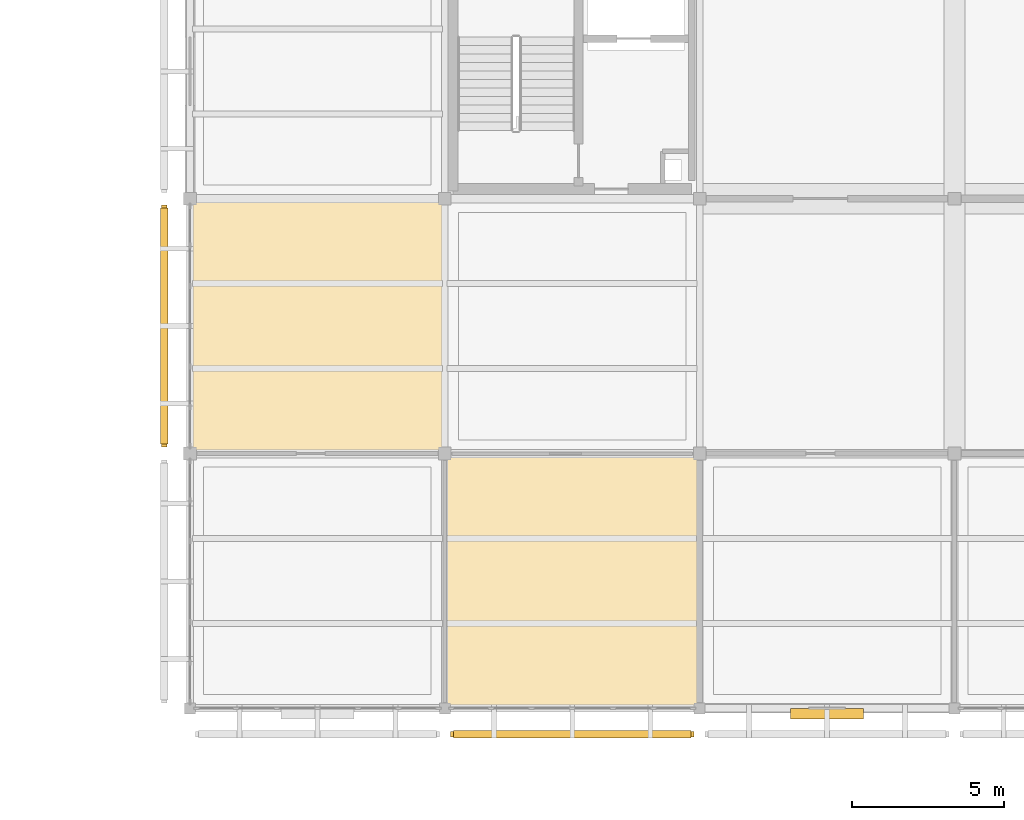
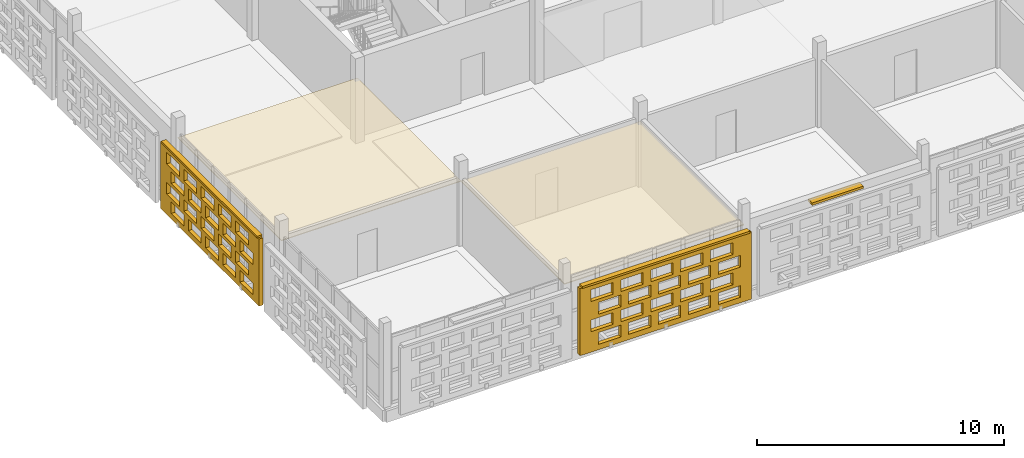
# One storey, part 113 of 166: 4 coverings, 3 shading devices, 40 openings.
"""IFC4 building model written with IfcOpenShell, lengths in metres."""

from ifc_helpers import new_model, si_unit, direction, frame, frame_2d, origin, origin_2d, place, context, subcontext, project, spatial, rectangle, extrude, material, layer, layer_set, type_object, element, save


model = new_model("IFC4")

# Units and contexts
model_context = context("Model", 3, precision=1e-05, world=origin(), true_north=direction((0.0, 1.0)))
body_context = subcontext(model_context, "Body", "Model", "MODEL_VIEW")
ifc_project = project(units=[si_unit("LENGTHUNIT", "METRE"), si_unit("AREAUNIT", "SQUARE_METRE"), si_unit("VOLUMEUNIT", "CUBIC_METRE"), si_unit("PLANEANGLEUNIT", "RADIAN"), si_unit("MASSUNIT", "GRAM", prefix="KILO")], contexts=[model_context])

# Site, building, storey
site_placement = place(None, origin())
site = spatial("IfcSite", under=ifc_project, at=site_placement, CompositionType="ELEMENT")
building_placement = place(site_placement, origin())
building = spatial("IfcBuilding", under=site, at=building_placement, Name="Varnapada Polytechnic", CompositionType="ELEMENT")
storey_placement = place(building_placement, frame((0.0, 0.0, 9.60009765625)))
storey = spatial("IfcBuildingStorey", under=building, at=storey_placement, Name="L02", CompositionType="ELEMENT", Elevation=9.60009765625)

# Shading device
ifc_material_1 = material(Name="Anodised aluminium", Category="aluminium")
ifc_layer_1 = layer(ifc_material_1, 0.35009765625)
ifc_layer_set_1 = layer_set([ifc_layer_1], Name="Anodised aluminium")
shading_device_type_1 = type_object("IfcShadingDeviceType", Name="Solar Louvre LVR-01", PredefinedType="JALOUSIE", material=ifc_layer_set_1)
shading_device_1_placement = place(storey_placement, frame((29.39990234375, -0.179931640625, 3.159912109375), z_axis=(0.0, 0.0, 1.0), x_axis=(-1.0, 0.0, 0.0)))
element("IfcShadingDevice", 1, at=shading_device_1_placement, inside=storey, type_object=shading_device_type_1, Name="L02 aluminium sun louvre 22", PredefinedType="JALOUSIE", context=body_context, shape_type="SweptSolid", body=[
    extrude(rectangle(XDim=2.39990234375, YDim=0.340087890625, at=origin_2d()), origin(), (0.0, 0.0, 1.0), 0.1201171875),
])

# Coverings
ifc_material_2 = material(Name="Micro-Perforated Gypsum Acoustic Ceiling")
ifc_layer_2 = layer(ifc_material_2, 0.044921875)
ifc_layer_set_2 = layer_set([ifc_layer_2], Name="Micro-Perforated Gypsum Acoustic Ceiling")
covering_type_1 = type_object("IfcCoveringType", Name="Suspended Ceiling CLG-04", PredefinedType="CEILING", material=ifc_layer_set_2)
covering_1_placement = place(storey_placement, frame((21.0, 4.199951171875, 3.02734375), z_axis=(0.0, 0.0, 1.0), x_axis=(1.0, 0.0, 0.0)))
element("IfcCovering", 2, at=covering_1_placement, inside=storey, type_object=covering_type_1, Name="L02 suspended acoustic ceiling (3,1)", PredefinedType="CEILING", context=body_context, shape_type="SweptSolid", body=[
    extrude(rectangle(XDim=8.419921875, YDim=8.419921875, at=origin_2d()), origin(), (0.0, 0.0, 1.0), 0.044921875),
])
ifc_material_3 = material(Name="Cleanroom Laboratory Metal Pan Ceiling")
ifc_layer_3 = layer(ifc_material_3, 0.034912109375)
ifc_layer_set_3 = layer_set([ifc_layer_3], Name="Cleanroom Laboratory Metal Pan Ceiling")
covering_type_2 = type_object("IfcCoveringType", Name="Suspended Ceiling CLG-06", PredefinedType="CEILING", material=ifc_layer_set_3)
covering_2_placement = place(storey_placement, frame((12.60009765625, 12.60009765625, 3.0322265625), z_axis=(0.0, 0.0, 1.0), x_axis=(1.0, 0.0, 0.0)))
element("IfcCovering", 3, at=covering_2_placement, inside=storey, type_object=covering_type_2, Name="L02 suspended acoustic ceiling (2,2)", PredefinedType="CEILING", context=body_context, shape_type="SweptSolid", body=[
    extrude(rectangle(XDim=8.419921875, YDim=8.419921875, at=origin_2d()), origin(), (0.0, 0.0, 1.0), 0.034912109375),
])

# Covering, openings
ifc_material_4 = material(Name="Earth-toned architectural terracotta screen block", Category="masonry")
ifc_layer_4 = layer(ifc_material_4, 0.1201171875)
ifc_layer_set_4 = layer_set([ifc_layer_4], Name="Earth-toned architectural terracotta screen block")
covering_type_3 = type_object("IfcCoveringType", Name="Terracotta Screen Cladding CLD-01", PredefinedType="CLADDING", material=ifc_layer_set_4)
covering_3_placement = place(storey_placement, frame((7.550048828125, 8.610107421875, 0.0), z_axis=(0.0, 0.0, 1.0), x_axis=(0.0, 1.0, 0.0)))
covering_3 = element("IfcCovering", 4, at=covering_3_placement, inside=storey, type_object=covering_type_3, Name="L02 perforated terracotta block screen (15)", PredefinedType="CLADDING", context=body_context, shape_type="SweptSolid", body=[
    extrude(rectangle(XDim=7.97998046875, YDim=0.179931640625, at=frame_2d((3.989990234375, 0.0))), origin(), (0.0, 0.0, 1.0), 3.31982421875),
])
opening_1_placement = place(covering_3_placement, frame((0.489990234375, 0.0, 0.265625)))
element("IfcOpeningElement", 5, at=opening_1_placement, cuts=covering_3, Name="Screen perforation TBS-L02-014.1", PredefinedType="OPENING", context=body_context, shape_type="SweptSolid", body=[
    extrude(rectangle(XDim=1.0400390625, YDim=0.5810546875, at=frame_2d((0.52001953125, 0.29052734375))), frame((0.0, 0.099853515625, 0.0), z_axis=(0.0, -1.0, 0.0), x_axis=(1.0, 0.0, 0.0)), (0.0, 0.0, 1.0), 0.199951171875),
])
opening_2_placement = place(covering_3_placement, frame((1.889892578125, 0.0, 0.265625)))
element("IfcOpeningElement", 6, at=opening_2_placement, cuts=covering_3, Name="Screen perforation TBS-L02-014.2", PredefinedType="OPENING", context=body_context, shape_type="SweptSolid", body=[
    extrude(rectangle(XDim=1.0400390625, YDim=0.5810546875, at=frame_2d((0.52001953125, 0.29052734375))), frame((0.0, 0.099853515625, 0.0), z_axis=(0.0, -1.0, 0.0), x_axis=(1.0, 0.0, 0.0)), (0.0, 0.0, 1.0), 0.199951171875),
])
opening_3_placement = place(covering_3_placement, frame((3.2900390625, 0.0, 0.265625)))
element("IfcOpeningElement", 7, at=opening_3_placement, cuts=covering_3, Name="Screen perforation TBS-L02-014.3", PredefinedType="OPENING", context=body_context, shape_type="SweptSolid", body=[
    extrude(rectangle(XDim=1.0400390625, YDim=0.5810546875, at=frame_2d((0.52001953125, 0.29052734375))), frame((0.0, 0.099853515625, 0.0), z_axis=(0.0, -1.0, 0.0), x_axis=(1.0, 0.0, 0.0)), (0.0, 0.0, 1.0), 0.199951171875),
])
opening_4_placement = place(covering_3_placement, frame((4.68994140625, 0.0, 0.265625)))
element("IfcOpeningElement", 8, at=opening_4_placement, cuts=covering_3, Name="Screen perforation TBS-L02-014.4", PredefinedType="OPENING", context=body_context, shape_type="SweptSolid", body=[
    extrude(rectangle(XDim=1.0400390625, YDim=0.5810546875, at=frame_2d((0.52001953125, 0.29052734375))), frame((0.0, 0.099853515625, 0.0), z_axis=(0.0, -1.0, 0.0), x_axis=(1.0, 0.0, 0.0)), (0.0, 0.0, 1.0), 0.199951171875),
])
opening_5_placement = place(covering_3_placement, frame((6.090087890625, 0.0, 0.265625)))
element("IfcOpeningElement", 9, at=opening_5_placement, cuts=covering_3, Name="Screen perforation TBS-L02-014.5", PredefinedType="OPENING", context=body_context, shape_type="SweptSolid", body=[
    extrude(rectangle(XDim=1.0400390625, YDim=0.5810546875, at=frame_2d((0.52001953125, 0.29052734375))), frame((0.0, 0.099853515625, 0.0), z_axis=(0.0, -1.0, 0.0), x_axis=(1.0, 0.0, 0.0)), (0.0, 0.0, 1.0), 0.199951171875),
])
opening_6_placement = place(covering_3_placement, frame((0.85009765625, 0.0, 1.0126953125)))
element("IfcOpeningElement", 10, at=opening_6_placement, cuts=covering_3, Name="Screen perforation TBS-L02-014.6", PredefinedType="OPENING", context=body_context, shape_type="SweptSolid", body=[
    extrude(rectangle(XDim=1.0400390625, YDim=0.5810546875, at=frame_2d((0.52001953125, 0.29052734375))), frame((0.0, 0.099853515625, 0.0), z_axis=(0.0, -1.0, 0.0), x_axis=(1.0, 0.0, 0.0)), (0.0, 0.0, 1.0), 0.199951171875),
])
opening_7_placement = place(covering_3_placement, frame((2.25, 0.0, 1.0126953125)))
element("IfcOpeningElement", 11, at=opening_7_placement, cuts=covering_3, Name="Screen perforation TBS-L02-014.7", PredefinedType="OPENING", context=body_context, shape_type="SweptSolid", body=[
    extrude(rectangle(XDim=1.0400390625, YDim=0.5810546875, at=frame_2d((0.52001953125, 0.29052734375))), frame((0.0, 0.099853515625, 0.0), z_axis=(0.0, -1.0, 0.0), x_axis=(1.0, 0.0, 0.0)), (0.0, 0.0, 1.0), 0.199951171875),
])
opening_8_placement = place(covering_3_placement, frame((3.64990234375, 0.0, 1.0126953125)))
element("IfcOpeningElement", 12, at=opening_8_placement, cuts=covering_3, Name="Screen perforation TBS-L02-014.8", PredefinedType="OPENING", context=body_context, shape_type="SweptSolid", body=[
    extrude(rectangle(XDim=1.0400390625, YDim=0.5810546875, at=frame_2d((0.52001953125, 0.29052734375))), frame((0.0, 0.099853515625, 0.0), z_axis=(0.0, -1.0, 0.0), x_axis=(1.0, 0.0, 0.0)), (0.0, 0.0, 1.0), 0.199951171875),
])
opening_9_placement = place(covering_3_placement, frame((5.050048828125, 0.0, 1.0126953125)))
element("IfcOpeningElement", 13, at=opening_9_placement, cuts=covering_3, Name="Screen perforation TBS-L02-014.9", PredefinedType="OPENING", context=body_context, shape_type="SweptSolid", body=[
    extrude(rectangle(XDim=1.0400390625, YDim=0.5810546875, at=frame_2d((0.52001953125, 0.29052734375))), frame((0.0, 0.099853515625, 0.0), z_axis=(0.0, -1.0, 0.0), x_axis=(1.0, 0.0, 0.0)), (0.0, 0.0, 1.0), 0.199951171875),
])
opening_10_placement = place(covering_3_placement, frame((6.449951171875, 0.0, 1.0126953125)))
element("IfcOpeningElement", 14, at=opening_10_placement, cuts=covering_3, Name="Screen perforation TBS-L02-014.10", PredefinedType="OPENING", context=body_context, shape_type="SweptSolid", body=[
    extrude(rectangle(XDim=1.0400390625, YDim=0.5810546875, at=frame_2d((0.52001953125, 0.29052734375))), frame((0.0, 0.099853515625, 0.0), z_axis=(0.0, -1.0, 0.0), x_axis=(1.0, 0.0, 0.0)), (0.0, 0.0, 1.0), 0.199951171875),
])
opening_11_placement = place(covering_3_placement, frame((0.489990234375, 0.0, 1.759521484375)))
element("IfcOpeningElement", 15, at=opening_11_placement, cuts=covering_3, Name="Screen perforation TBS-L02-014.11", PredefinedType="OPENING", context=body_context, shape_type="SweptSolid", body=[
    extrude(rectangle(XDim=1.0400390625, YDim=0.5810546875, at=frame_2d((0.52001953125, 0.29052734375))), frame((0.0, 0.099853515625, 0.0), z_axis=(0.0, -1.0, 0.0), x_axis=(1.0, 0.0, 0.0)), (0.0, 0.0, 1.0), 0.199951171875),
])
opening_12_placement = place(covering_3_placement, frame((1.889892578125, 0.0, 1.759521484375)))
element("IfcOpeningElement", 16, at=opening_12_placement, cuts=covering_3, Name="Screen perforation TBS-L02-014.12", PredefinedType="OPENING", context=body_context, shape_type="SweptSolid", body=[
    extrude(rectangle(XDim=1.0400390625, YDim=0.5810546875, at=frame_2d((0.52001953125, 0.29052734375))), frame((0.0, 0.099853515625, 0.0), z_axis=(0.0, -1.0, 0.0), x_axis=(1.0, 0.0, 0.0)), (0.0, 0.0, 1.0), 0.199951171875),
])
opening_13_placement = place(covering_3_placement, frame((3.2900390625, 0.0, 1.759521484375)))
element("IfcOpeningElement", 17, at=opening_13_placement, cuts=covering_3, Name="Screen perforation TBS-L02-014.13", PredefinedType="OPENING", context=body_context, shape_type="SweptSolid", body=[
    extrude(rectangle(XDim=1.0400390625, YDim=0.5810546875, at=frame_2d((0.52001953125, 0.29052734375))), frame((0.0, 0.099853515625, 0.0), z_axis=(0.0, -1.0, 0.0), x_axis=(1.0, 0.0, 0.0)), (0.0, 0.0, 1.0), 0.199951171875),
])
opening_14_placement = place(covering_3_placement, frame((4.68994140625, 0.0, 1.759521484375)))
element("IfcOpeningElement", 18, at=opening_14_placement, cuts=covering_3, Name="Screen perforation TBS-L02-014.14", PredefinedType="OPENING", context=body_context, shape_type="SweptSolid", body=[
    extrude(rectangle(XDim=1.0400390625, YDim=0.5810546875, at=frame_2d((0.52001953125, 0.29052734375))), frame((0.0, 0.099853515625, 0.0), z_axis=(0.0, -1.0, 0.0), x_axis=(1.0, 0.0, 0.0)), (0.0, 0.0, 1.0), 0.199951171875),
])
opening_15_placement = place(covering_3_placement, frame((6.090087890625, 0.0, 1.759521484375)))
element("IfcOpeningElement", 19, at=opening_15_placement, cuts=covering_3, Name="Screen perforation TBS-L02-014.15", PredefinedType="OPENING", context=body_context, shape_type="SweptSolid", body=[
    extrude(rectangle(XDim=1.0400390625, YDim=0.5810546875, at=frame_2d((0.52001953125, 0.29052734375))), frame((0.0, 0.099853515625, 0.0), z_axis=(0.0, -1.0, 0.0), x_axis=(1.0, 0.0, 0.0)), (0.0, 0.0, 1.0), 0.199951171875),
])
opening_16_placement = place(covering_3_placement, frame((0.85009765625, 0.0, 2.506591796875)))
element("IfcOpeningElement", 20, at=opening_16_placement, cuts=covering_3, Name="Screen perforation TBS-L02-014.16", PredefinedType="OPENING", context=body_context, shape_type="SweptSolid", body=[
    extrude(rectangle(XDim=1.0400390625, YDim=0.5810546875, at=frame_2d((0.52001953125, 0.29052734375))), frame((0.0, 0.099853515625, 0.0), z_axis=(0.0, -1.0, 0.0), x_axis=(1.0, 0.0, 0.0)), (0.0, 0.0, 1.0), 0.199951171875),
])
opening_17_placement = place(covering_3_placement, frame((2.25, 0.0, 2.506591796875)))
element("IfcOpeningElement", 21, at=opening_17_placement, cuts=covering_3, Name="Screen perforation TBS-L02-014.17", PredefinedType="OPENING", context=body_context, shape_type="SweptSolid", body=[
    extrude(rectangle(XDim=1.0400390625, YDim=0.5810546875, at=frame_2d((0.52001953125, 0.29052734375))), frame((0.0, 0.099853515625, 0.0), z_axis=(0.0, -1.0, 0.0), x_axis=(1.0, 0.0, 0.0)), (0.0, 0.0, 1.0), 0.199951171875),
])
opening_18_placement = place(covering_3_placement, frame((3.64990234375, 0.0, 2.506591796875)))
element("IfcOpeningElement", 22, at=opening_18_placement, cuts=covering_3, Name="Screen perforation TBS-L02-014.18", PredefinedType="OPENING", context=body_context, shape_type="SweptSolid", body=[
    extrude(rectangle(XDim=1.0400390625, YDim=0.5810546875, at=frame_2d((0.52001953125, 0.29052734375))), frame((0.0, 0.099853515625, 0.0), z_axis=(0.0, -1.0, 0.0), x_axis=(1.0, 0.0, 0.0)), (0.0, 0.0, 1.0), 0.199951171875),
])
opening_19_placement = place(covering_3_placement, frame((5.050048828125, 0.0, 2.506591796875)))
element("IfcOpeningElement", 23, at=opening_19_placement, cuts=covering_3, Name="Screen perforation TBS-L02-014.19", PredefinedType="OPENING", context=body_context, shape_type="SweptSolid", body=[
    extrude(rectangle(XDim=1.0400390625, YDim=0.5810546875, at=frame_2d((0.52001953125, 0.29052734375))), frame((0.0, 0.099853515625, 0.0), z_axis=(0.0, -1.0, 0.0), x_axis=(1.0, 0.0, 0.0)), (0.0, 0.0, 1.0), 0.199951171875),
])
opening_20_placement = place(covering_3_placement, frame((6.449951171875, 0.0, 2.506591796875)))
element("IfcOpeningElement", 24, at=opening_20_placement, cuts=covering_3, Name="Screen perforation TBS-L02-014.20", PredefinedType="OPENING", context=body_context, shape_type="SweptSolid", body=[
    extrude(rectangle(XDim=1.0400390625, YDim=0.5810546875, at=frame_2d((0.52001953125, 0.29052734375))), frame((0.0, 0.099853515625, 0.0), z_axis=(0.0, -1.0, 0.0), x_axis=(1.0, 0.0, 0.0)), (0.0, 0.0, 1.0), 0.199951171875),
])

covering_4_placement = place(storey_placement, frame((25.02001953125, -0.85009765625, 0.0), z_axis=(0.0, 0.0, 1.0), x_axis=(-1.0, 0.0, 0.0)))
covering_4 = element("IfcCovering", 25, at=covering_4_placement, inside=storey, type_object=covering_type_3, Name="L02 perforated terracotta block screen (20)", PredefinedType="CLADDING", context=body_context, shape_type="SweptSolid", body=[
    extrude(rectangle(XDim=8.0400390625, YDim=0.179931640625, at=frame_2d((4.02001953125, 0.0))), origin(), (0.0, 0.0, 1.0), 3.31982421875),
])
opening_21_placement = place(covering_4_placement, frame((0.52001953125, 0.0, 0.265625)))
element("IfcOpeningElement", 26, at=opening_21_placement, cuts=covering_4, Name="Screen perforation TBS-L02-019.1", PredefinedType="OPENING", context=body_context, shape_type="SweptSolid", body=[
    extrude(rectangle(XDim=1.0400390625, YDim=0.5810546875, at=frame_2d((0.52001953125, 0.29052734375))), frame((0.0, 0.099853515625, 0.0), z_axis=(0.0, -1.0, 0.0), x_axis=(1.0, 0.0, 0.0)), (0.0, 0.0, 1.0), 0.199951171875),
])
opening_22_placement = place(covering_4_placement, frame((1.919921875, 0.0, 0.265625)))
element("IfcOpeningElement", 27, at=opening_22_placement, cuts=covering_4, Name="Screen perforation TBS-L02-019.2", PredefinedType="OPENING", context=body_context, shape_type="SweptSolid", body=[
    extrude(rectangle(XDim=1.0400390625, YDim=0.5810546875, at=frame_2d((0.52001953125, 0.29052734375))), frame((0.0, 0.099853515625, 0.0), z_axis=(0.0, -1.0, 0.0), x_axis=(1.0, 0.0, 0.0)), (0.0, 0.0, 1.0), 0.199951171875),
])
opening_23_placement = place(covering_4_placement, frame((3.320068359375, 0.0, 0.265625)))
element("IfcOpeningElement", 28, at=opening_23_placement, cuts=covering_4, Name="Screen perforation TBS-L02-019.3", PredefinedType="OPENING", context=body_context, shape_type="SweptSolid", body=[
    extrude(rectangle(XDim=1.0400390625, YDim=0.5810546875, at=frame_2d((0.52001953125, 0.29052734375))), frame((0.0, 0.099853515625, 0.0), z_axis=(0.0, -1.0, 0.0), x_axis=(1.0, 0.0, 0.0)), (0.0, 0.0, 1.0), 0.199951171875),
])
opening_24_placement = place(covering_4_placement, frame((4.719970703125, 0.0, 0.265625)))
element("IfcOpeningElement", 29, at=opening_24_placement, cuts=covering_4, Name="Screen perforation TBS-L02-019.4", PredefinedType="OPENING", context=body_context, shape_type="SweptSolid", body=[
    extrude(rectangle(XDim=1.0400390625, YDim=0.5810546875, at=frame_2d((0.52001953125, 0.29052734375))), frame((0.0, 0.099853515625, 0.0), z_axis=(0.0, -1.0, 0.0), x_axis=(1.0, 0.0, 0.0)), (0.0, 0.0, 1.0), 0.199951171875),
])
opening_25_placement = place(covering_4_placement, frame((6.1201171875, 0.0, 0.265625)))
element("IfcOpeningElement", 30, at=opening_25_placement, cuts=covering_4, Name="Screen perforation TBS-L02-019.5", PredefinedType="OPENING", context=body_context, shape_type="SweptSolid", body=[
    extrude(rectangle(XDim=1.0400390625, YDim=0.5810546875, at=frame_2d((0.52001953125, 0.29052734375))), frame((0.0, 0.099853515625, 0.0), z_axis=(0.0, -1.0, 0.0), x_axis=(1.0, 0.0, 0.0)), (0.0, 0.0, 1.0), 0.199951171875),
])
opening_26_placement = place(covering_4_placement, frame((0.8798828125, 0.0, 1.0126953125)))
element("IfcOpeningElement", 31, at=opening_26_placement, cuts=covering_4, Name="Screen perforation TBS-L02-019.6", PredefinedType="OPENING", context=body_context, shape_type="SweptSolid", body=[
    extrude(rectangle(XDim=1.0400390625, YDim=0.5810546875, at=frame_2d((0.52001953125, 0.29052734375))), frame((0.0, 0.099853515625, 0.0), z_axis=(0.0, -1.0, 0.0), x_axis=(1.0, 0.0, 0.0)), (0.0, 0.0, 1.0), 0.199951171875),
])
opening_27_placement = place(covering_4_placement, frame((2.280029296875, 0.0, 1.0126953125)))
element("IfcOpeningElement", 32, at=opening_27_placement, cuts=covering_4, Name="Screen perforation TBS-L02-019.7", PredefinedType="OPENING", context=body_context, shape_type="SweptSolid", body=[
    extrude(rectangle(XDim=1.0400390625, YDim=0.5810546875, at=frame_2d((0.52001953125, 0.29052734375))), frame((0.0, 0.099853515625, 0.0), z_axis=(0.0, -1.0, 0.0), x_axis=(1.0, 0.0, 0.0)), (0.0, 0.0, 1.0), 0.199951171875),
])
opening_28_placement = place(covering_4_placement, frame((3.679931640625, 0.0, 1.0126953125)))
element("IfcOpeningElement", 33, at=opening_28_placement, cuts=covering_4, Name="Screen perforation TBS-L02-019.8", PredefinedType="OPENING", context=body_context, shape_type="SweptSolid", body=[
    extrude(rectangle(XDim=1.0400390625, YDim=0.5810546875, at=frame_2d((0.52001953125, 0.29052734375))), frame((0.0, 0.099853515625, 0.0), z_axis=(0.0, -1.0, 0.0), x_axis=(1.0, 0.0, 0.0)), (0.0, 0.0, 1.0), 0.199951171875),
])
opening_29_placement = place(covering_4_placement, frame((5.080078125, 0.0, 1.0126953125)))
element("IfcOpeningElement", 34, at=opening_29_placement, cuts=covering_4, Name="Screen perforation TBS-L02-019.9", PredefinedType="OPENING", context=body_context, shape_type="SweptSolid", body=[
    extrude(rectangle(XDim=1.0400390625, YDim=0.5810546875, at=frame_2d((0.52001953125, 0.29052734375))), frame((0.0, 0.099853515625, 0.0), z_axis=(0.0, -1.0, 0.0), x_axis=(1.0, 0.0, 0.0)), (0.0, 0.0, 1.0), 0.199951171875),
])
opening_30_placement = place(covering_4_placement, frame((6.47998046875, 0.0, 1.0126953125)))
element("IfcOpeningElement", 35, at=opening_30_placement, cuts=covering_4, Name="Screen perforation TBS-L02-019.10", PredefinedType="OPENING", context=body_context, shape_type="SweptSolid", body=[
    extrude(rectangle(XDim=1.0400390625, YDim=0.5810546875, at=frame_2d((0.52001953125, 0.29052734375))), frame((0.0, 0.099853515625, 0.0), z_axis=(0.0, -1.0, 0.0), x_axis=(1.0, 0.0, 0.0)), (0.0, 0.0, 1.0), 0.199951171875),
])
opening_31_placement = place(covering_4_placement, frame((0.52001953125, 0.0, 1.759521484375)))
element("IfcOpeningElement", 36, at=opening_31_placement, cuts=covering_4, Name="Screen perforation TBS-L02-019.11", PredefinedType="OPENING", context=body_context, shape_type="SweptSolid", body=[
    extrude(rectangle(XDim=1.0400390625, YDim=0.5810546875, at=frame_2d((0.52001953125, 0.29052734375))), frame((0.0, 0.099853515625, 0.0), z_axis=(0.0, -1.0, 0.0), x_axis=(1.0, 0.0, 0.0)), (0.0, 0.0, 1.0), 0.199951171875),
])
opening_32_placement = place(covering_4_placement, frame((1.919921875, 0.0, 1.759521484375)))
element("IfcOpeningElement", 37, at=opening_32_placement, cuts=covering_4, Name="Screen perforation TBS-L02-019.12", PredefinedType="OPENING", context=body_context, shape_type="SweptSolid", body=[
    extrude(rectangle(XDim=1.0400390625, YDim=0.5810546875, at=frame_2d((0.52001953125, 0.29052734375))), frame((0.0, 0.099853515625, 0.0), z_axis=(0.0, -1.0, 0.0), x_axis=(1.0, 0.0, 0.0)), (0.0, 0.0, 1.0), 0.199951171875),
])
opening_33_placement = place(covering_4_placement, frame((3.320068359375, 0.0, 1.759521484375)))
element("IfcOpeningElement", 38, at=opening_33_placement, cuts=covering_4, Name="Screen perforation TBS-L02-019.13", PredefinedType="OPENING", context=body_context, shape_type="SweptSolid", body=[
    extrude(rectangle(XDim=1.0400390625, YDim=0.5810546875, at=frame_2d((0.52001953125, 0.29052734375))), frame((0.0, 0.099853515625, 0.0), z_axis=(0.0, -1.0, 0.0), x_axis=(1.0, 0.0, 0.0)), (0.0, 0.0, 1.0), 0.199951171875),
])
opening_34_placement = place(covering_4_placement, frame((4.719970703125, 0.0, 1.759521484375)))
element("IfcOpeningElement", 39, at=opening_34_placement, cuts=covering_4, Name="Screen perforation TBS-L02-019.14", PredefinedType="OPENING", context=body_context, shape_type="SweptSolid", body=[
    extrude(rectangle(XDim=1.0400390625, YDim=0.5810546875, at=frame_2d((0.52001953125, 0.29052734375))), frame((0.0, 0.099853515625, 0.0), z_axis=(0.0, -1.0, 0.0), x_axis=(1.0, 0.0, 0.0)), (0.0, 0.0, 1.0), 0.199951171875),
])
opening_35_placement = place(covering_4_placement, frame((6.1201171875, 0.0, 1.759521484375)))
element("IfcOpeningElement", 40, at=opening_35_placement, cuts=covering_4, Name="Screen perforation TBS-L02-019.15", PredefinedType="OPENING", context=body_context, shape_type="SweptSolid", body=[
    extrude(rectangle(XDim=1.0400390625, YDim=0.5810546875, at=frame_2d((0.52001953125, 0.29052734375))), frame((0.0, 0.099853515625, 0.0), z_axis=(0.0, -1.0, 0.0), x_axis=(1.0, 0.0, 0.0)), (0.0, 0.0, 1.0), 0.199951171875),
])
opening_36_placement = place(covering_4_placement, frame((0.8798828125, 0.0, 2.506591796875)))
element("IfcOpeningElement", 41, at=opening_36_placement, cuts=covering_4, Name="Screen perforation TBS-L02-019.16", PredefinedType="OPENING", context=body_context, shape_type="SweptSolid", body=[
    extrude(rectangle(XDim=1.0400390625, YDim=0.5810546875, at=frame_2d((0.52001953125, 0.29052734375))), frame((0.0, 0.099853515625, 0.0), z_axis=(0.0, -1.0, 0.0), x_axis=(1.0, 0.0, 0.0)), (0.0, 0.0, 1.0), 0.199951171875),
])
opening_37_placement = place(covering_4_placement, frame((2.280029296875, 0.0, 2.506591796875)))
element("IfcOpeningElement", 42, at=opening_37_placement, cuts=covering_4, Name="Screen perforation TBS-L02-019.17", PredefinedType="OPENING", context=body_context, shape_type="SweptSolid", body=[
    extrude(rectangle(XDim=1.0400390625, YDim=0.5810546875, at=frame_2d((0.52001953125, 0.29052734375))), frame((0.0, 0.099853515625, 0.0), z_axis=(0.0, -1.0, 0.0), x_axis=(1.0, 0.0, 0.0)), (0.0, 0.0, 1.0), 0.199951171875),
])
opening_38_placement = place(covering_4_placement, frame((3.679931640625, 0.0, 2.506591796875)))
element("IfcOpeningElement", 43, at=opening_38_placement, cuts=covering_4, Name="Screen perforation TBS-L02-019.18", PredefinedType="OPENING", context=body_context, shape_type="SweptSolid", body=[
    extrude(rectangle(XDim=1.0400390625, YDim=0.5810546875, at=frame_2d((0.52001953125, 0.29052734375))), frame((0.0, 0.099853515625, 0.0), z_axis=(0.0, -1.0, 0.0), x_axis=(1.0, 0.0, 0.0)), (0.0, 0.0, 1.0), 0.199951171875),
])
opening_39_placement = place(covering_4_placement, frame((5.080078125, 0.0, 2.506591796875)))
element("IfcOpeningElement", 44, at=opening_39_placement, cuts=covering_4, Name="Screen perforation TBS-L02-019.19", PredefinedType="OPENING", context=body_context, shape_type="SweptSolid", body=[
    extrude(rectangle(XDim=1.0400390625, YDim=0.5810546875, at=frame_2d((0.52001953125, 0.29052734375))), frame((0.0, 0.099853515625, 0.0), z_axis=(0.0, -1.0, 0.0), x_axis=(1.0, 0.0, 0.0)), (0.0, 0.0, 1.0), 0.199951171875),
])
opening_40_placement = place(covering_4_placement, frame((6.47998046875, 0.0, 2.506591796875)))
element("IfcOpeningElement", 45, at=opening_40_placement, cuts=covering_4, Name="Screen perforation TBS-L02-019.20", PredefinedType="OPENING", context=body_context, shape_type="SweptSolid", body=[
    extrude(rectangle(XDim=1.0400390625, YDim=0.5810546875, at=frame_2d((0.52001953125, 0.29052734375))), frame((0.0, 0.099853515625, 0.0), z_axis=(0.0, -1.0, 0.0), x_axis=(1.0, 0.0, 0.0)), (0.0, 0.0, 1.0), 0.199951171875),
])

# Shading devices
ifc_layer_5 = layer(ifc_material_4, 0.179931640625)
ifc_layer_set_5 = layer_set([ifc_layer_5], Name="Earth-toned architectural terracotta screen block")
shading_device_type_2 = type_object("IfcShadingDeviceType", Name="Terracotta Screen SCR-01", PredefinedType="USERDEFINED", material=ifc_layer_set_5)
shading_device_2_placement = place(storey_placement, frame((7.550048828125, 12.60009765625, 3.309814453125), z_axis=(0.0, 0.0, 1.0), x_axis=(0.0, 1.0, 0.0)))
element("IfcShadingDevice", 46, at=shading_device_2_placement, inside=storey, type_object=shading_device_type_2, Name="L02 perforated terracotta screen hood 244", ObjectType="SCREEN", PredefinedType="USERDEFINED", context=body_context, shape_type="SweptSolid", body=[
    extrude(rectangle(XDim=7.780029296875, YDim=0.239990234375, at=origin_2d()), origin(), (0.0, 0.0, 1.0), 0.10009765625),
])
shading_device_3_placement = place(storey_placement, frame((21.0, -0.85009765625, 3.309814453125), z_axis=(0.0, 0.0, 1.0), x_axis=(-1.0, 0.0, 0.0)))
element("IfcShadingDevice", 47, at=shading_device_3_placement, inside=storey, type_object=shading_device_type_2, Name="L02 perforated terracotta screen hood 249", ObjectType="SCREEN", PredefinedType="USERDEFINED", context=body_context, shape_type="SweptSolid", body=[
    extrude(rectangle(XDim=7.840087890625, YDim=0.239990234375, at=origin_2d()), origin(), (0.0, 0.0, 1.0), 0.10009765625),
])

save(model, "model.ifc")
